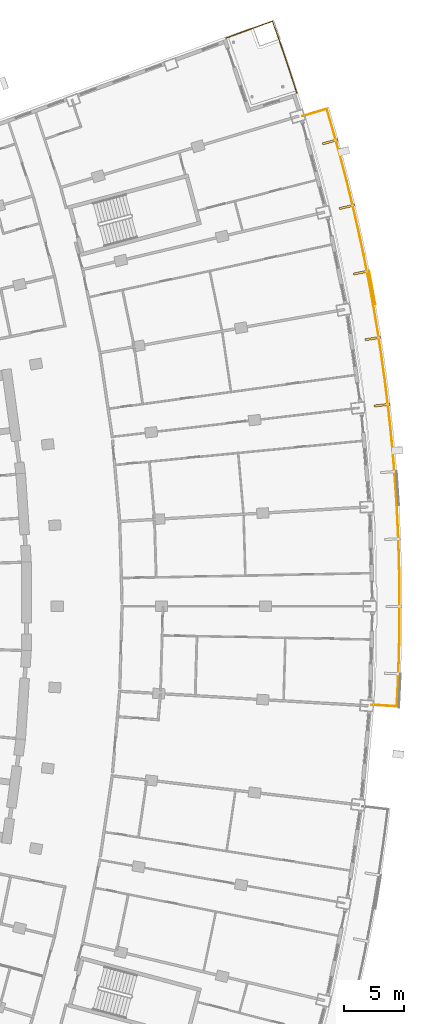
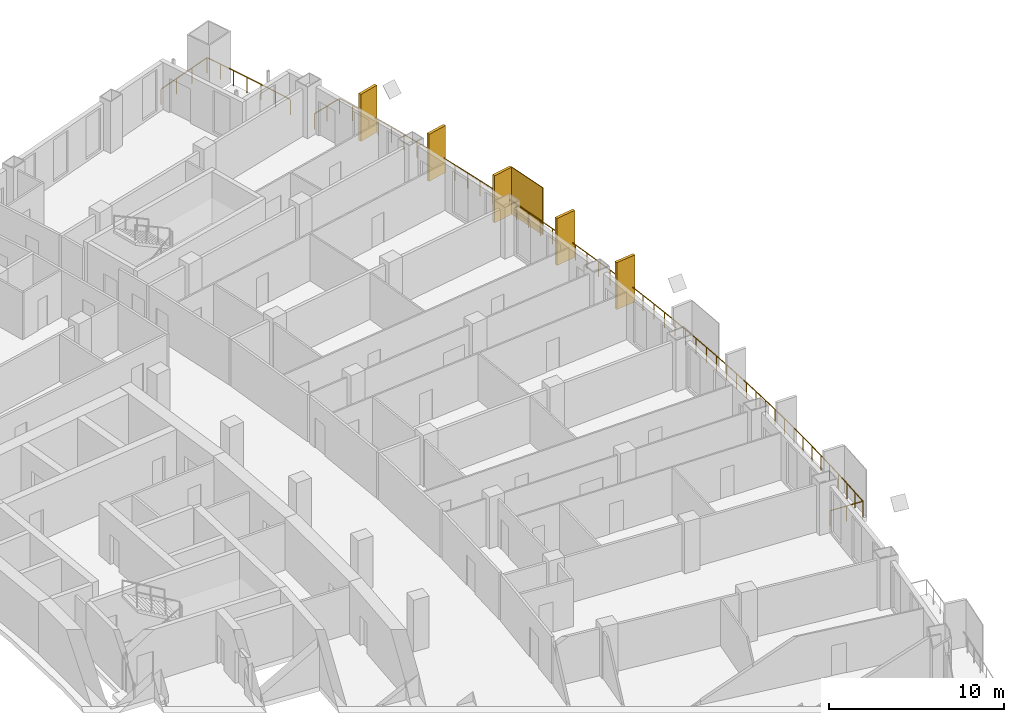
# One storey, part 25 of 25: 6 shading devices, 2 railings.
"""IFC4 building model written with IfcOpenShell, lengths in metres."""

from ifc_helpers import new_model, si_unit, direction, frame, origin, origin_2d, place, context, subcontext, project, spatial, rectangle, extrude, material, layer, layer_set, type_object, element, save


model = new_model("IFC4")

# Units and contexts
model_context = context("Model", 3, precision=1e-05, world=origin(), true_north=direction((0.0, 1.0)))
body_context = subcontext(model_context, "Body", "Model", "MODEL_VIEW")
ifc_project = project(units=[si_unit("LENGTHUNIT", "METRE"), si_unit("AREAUNIT", "SQUARE_METRE"), si_unit("VOLUMEUNIT", "CUBIC_METRE"), si_unit("PLANEANGLEUNIT", "RADIAN"), si_unit("MASSUNIT", "GRAM", prefix="KILO")], contexts=[model_context])

# Site, building, storey
site_placement = place(None, origin())
site = spatial("IfcSite", under=ifc_project, at=site_placement, CompositionType="ELEMENT")
building_placement = place(site_placement, origin())
building = spatial("IfcBuilding", under=site, at=building_placement, Name="Alderwake Tower", CompositionType="ELEMENT")
storey_placement = place(building_placement, frame((0.0, 0.0, 89.60009765625)))
storey = spatial("IfcBuildingStorey", under=building, at=storey_placement, Name="L21", CompositionType="ELEMENT", Elevation=89.60009765625)

# Railings
ifc_material_1 = material(Name="Stainless steel 316 rail and posts", Category="steel")
railing_type = type_object("IfcRailingType", Name="Balcony guard 1100", PredefinedType="GUARDRAIL", material=ifc_material_1)
railing_1_placement = place(storey_placement, frame((61.9638671875, 52.80810546875, 0.0)))
element("IfcRailing", 1, at=railing_1_placement, inside=storey, type_object=railing_type, Name="Guard BF06", PredefinedType="GUARDRAIL", context=body_context, shape_type="SweptSolid", body=[
    extrude(rectangle(XDim=0.048095703125, YDim=0.048095703125, at=origin_2d()), frame((0.0, 0.0, 1.076171875), z_axis=(0.998335953918, -0.057665614667, 0.0), x_axis=(0.057665614667, 0.998335953918, 0.0)), (0.0, 0.0, 1.0), 2.099853515625),
    extrude(rectangle(XDim=0.048095703125, YDim=0.048095703125, at=origin_2d()), frame((2.096435546875, -0.12109375, 1.076171875), z_axis=(0.050666548811, 0.998715625607, 0.0), x_axis=(-0.998715625607, 0.050666548811, 0.0)), (0.0, 0.0, 1.0), 2.004638671875),
    extrude(rectangle(XDim=0.048095703125, YDim=0.048095703125, at=origin_2d()), frame((2.197998046875, 1.880859375, 1.076171875), z_axis=(0.036432316563, 0.999336122788, 0.0), x_axis=(-0.999336122788, 0.036432316563, 0.0)), (0.0, 0.0, 1.0), 2.104248046875),
    extrude(rectangle(XDim=0.048095703125, YDim=0.048095703125, at=origin_2d()), frame((2.274658203125, 3.983642578125, 1.076171875), z_axis=(0.021925570375, 0.999759605787, 0.0), x_axis=(-0.999759605787, 0.021925570375, 0.0)), (0.0, 0.0, 1.0), 2.1044921875),
    extrude(rectangle(XDim=0.048095703125, YDim=0.048095703125, at=origin_2d()), frame((2.32080078125, 6.087646484375, 1.076171875), z_axis=(0.007309237393, 0.999973287168, 0.0), x_axis=(-0.999973287168, 0.007309237393, 0.0)), (0.0, 0.0, 1.0), 2.104248046875),
    extrude(rectangle(XDim=0.048095703125, YDim=0.048095703125, at=origin_2d()), frame((2.336181640625, 8.19189453125, 1.076171875), z_axis=(-0.007309237393, 0.999973287168, 0.0), x_axis=(-0.999973287168, -0.007309237393, 0.0)), (0.0, 0.0, 1.0), 2.104248046875),
    extrude(rectangle(XDim=0.048095703125, YDim=0.048095703125, at=origin_2d()), frame((2.32080078125, 10.296142578125, 1.076171875), z_axis=(-0.021925570375, 0.999759605787, 0.0), x_axis=(-0.999759605787, -0.021925570375, 0.0)), (0.0, 0.0, 1.0), 2.1044921875),
    extrude(rectangle(XDim=0.048095703125, YDim=0.048095703125, at=origin_2d()), frame((2.274658203125, 12.400146484375, 1.076171875), z_axis=(-0.036432316563, 0.999336122788, 0.0), x_axis=(-0.999336122788, -0.036432316563, 0.0)), (0.0, 0.0, 1.0), 2.104248046875),
    extrude(rectangle(XDim=0.048095703125, YDim=0.048095703125, at=origin_2d()), frame((2.197998046875, 14.5029296875, 1.076171875), z_axis=(-0.050932877851, 0.998702078677, 0.0), x_axis=(-0.998702078677, -0.050932877851, 0.0)), (0.0, 0.0, 1.0), 2.104248046875),
    extrude(rectangle(XDim=0.048095703125, YDim=0.048095703125, at=origin_2d()), frame((2.0908203125, 16.6044921875, 1.076171875), z_axis=(-0.065656675921, 0.99784227256, 0.0), x_axis=(-0.99784227256, -0.065656675921, 0.0)), (0.0, 0.0, 1.0), 2.104736328125),
    extrude(rectangle(XDim=0.048095703125, YDim=0.048095703125, at=origin_2d()), frame((1.95263671875, 18.70458984375, 1.076171875), z_axis=(-0.080058805511, 0.996790142237, 0.0), x_axis=(-0.996790142237, -0.080058805511, 0.0)), (0.0, 0.0, 1.0), 2.104248046875),
    extrude(rectangle(XDim=0.048095703125, YDim=0.048095703125, at=origin_2d()), frame((1.7841796875, 20.802001953125, 1.076171875), z_axis=(-0.094666747409, 0.995509019012, 0.0), x_axis=(-0.995509019012, -0.094666747409, 0.0)), (0.0, 0.0, 1.0), 2.1044921875),
    extrude(rectangle(XDim=0.048095703125, YDim=0.048095703125, at=origin_2d()), frame((1.5849609375, 22.89697265625, 1.076171875), z_axis=(-0.109170827012, 0.994023003018, 0.0), x_axis=(-0.994023003018, -0.109170827012, 0.0)), (0.0, 0.0, 1.0), 2.1044921875),
    extrude(rectangle(XDim=0.048095703125, YDim=0.048095703125, at=origin_2d()), frame((1.355224609375, 24.98876953125, 1.076171875), z_axis=(-0.123677740732, 0.992322435727, 0.0), x_axis=(-0.992322435727, -0.123677740732, 0.0)), (0.0, 0.0, 1.0), 2.104248046875),
    extrude(rectangle(XDim=0.048095703125, YDim=0.048095703125, at=origin_2d()), frame((1.094970703125, 27.076904296875, 1.076171875), z_axis=(-0.138058412224, 0.990424088365, 0.0), x_axis=(-0.990424088365, -0.138058412224, 0.0)), (0.0, 0.0, 1.0), 2.1044921875),
    extrude(rectangle(XDim=0.048095703125, YDim=0.048095703125, at=origin_2d()), frame((0.804443359375, 29.1611328125, 1.076171875), z_axis=(-0.152554066346, 0.988295126388, 0.0), x_axis=(-0.988295126388, -0.152554066346, 0.0)), (0.0, 0.0, 1.0), 2.1044921875),
    extrude(rectangle(XDim=0.048095703125, YDim=0.048095703125, at=origin_2d()), frame((0.4833984375, 31.240966796875, 1.076171875), z_axis=(-0.166957213464, 0.985964141778, 0.0), x_axis=(-0.985964141778, -0.166957213464, 0.0)), (0.0, 0.0, 1.0), 2.104248046875),
    extrude(rectangle(XDim=0.048095703125, YDim=0.048095703125, at=origin_2d()), frame((0.132080078125, 33.315673828125, 1.076171875), z_axis=(-0.181212626515, 0.983443940442, 0.0), x_axis=(-0.983443940442, -0.181212626515, 0.0)), (0.0, 0.0, 1.0), 2.1044921875),
    extrude(rectangle(XDim=0.048095703125, YDim=0.048095703125, at=origin_2d()), frame((-0.249267578125, 35.38525390625, 1.076171875), z_axis=(-0.195602960633, 0.980683170954, 0.0), x_axis=(-0.980683170954, -0.195602960633, 0.0)), (0.0, 0.0, 1.0), 2.1044921875),
    extrude(rectangle(XDim=0.048095703125, YDim=0.048095703125, at=origin_2d()), frame((-0.660888671875, 37.448974609375, 1.076171875), z_axis=(-0.209885633333, 0.977725943668, 0.0), x_axis=(-0.977725943668, -0.209885633333, 0.0)), (0.0, 0.0, 1.0), 2.104248046875),
    extrude(rectangle(XDim=0.048095703125, YDim=0.048095703125, at=origin_2d()), frame((-1.1025390625, 39.50634765625, 1.076171875), z_axis=(-0.224147692921, 0.974555186615, 0.0), x_axis=(-0.974555186615, -0.224147692921, 0.0)), (0.0, 0.0, 1.0), 2.104248046875),
    extrude(rectangle(XDim=0.048095703125, YDim=0.048095703125, at=origin_2d()), frame((-1.57421875, 41.55712890625, 1.076171875), z_axis=(-0.238302054277, 0.971191088781, 0.0), x_axis=(-0.971191088781, -0.238302054277, 0.0)), (0.0, 0.0, 1.0), 2.104248046875),
    extrude(rectangle(XDim=0.048095703125, YDim=0.048095703125, at=origin_2d()), frame((-2.07568359375, 43.600830078125, 1.076171875), z_axis=(-0.252431341957, 0.967614808484, 0.0), x_axis=(-0.967614808484, -0.252431341957, 0.0)), (0.0, 0.0, 1.0), 2.1044921875),
    extrude(rectangle(XDim=0.048095703125, YDim=0.048095703125, at=origin_2d()), frame((-2.60693359375, 45.63720703125, 1.076171875), z_axis=(-0.266620451379, 0.963801605574, 0.0), x_axis=(-0.963801605574, -0.266620451379, 0.0)), (0.0, 0.0, 1.0), 2.104248046875),
    extrude(rectangle(XDim=0.048095703125, YDim=0.048095703125, at=origin_2d()), frame((-3.16796875, 47.665283203125, 1.076171875), z_axis=(-0.280154349247, 0.959954968005, 0.0), x_axis=(-0.959954968005, -0.280154349247, 0.0)), (0.0, 0.0, 1.0), 2.00439453125),
    extrude(rectangle(XDim=0.048095703125, YDim=0.048095703125, at=origin_2d()), frame((-3.7294921875, 49.58935546875, 1.076171875), z_axis=(-0.957986128201, -0.286814536198, 0.0), x_axis=(0.286814536198, -0.957986128201, 0.0)), (0.0, 0.0, 1.0), 2.099853515625),
    extrude(rectangle(XDim=0.0419921875, YDim=0.0419921875, at=origin_2d()), frame((0.0, 0.0, 0.0), z_axis=(0.0, 0.0, 1.0), x_axis=(0.998335953918, -0.057665614667, 0.0)), (0.0, 0.0, 1.0), 1.052001953125),
    extrude(rectangle(XDim=0.0419921875, YDim=0.0419921875, at=origin_2d()), frame((1.04833984375, -0.060546875, 0.0), z_axis=(0.0, 0.0, 1.0), x_axis=(0.998335953918, -0.057665614667, 0.0)), (0.0, 0.0, 1.0), 1.052001953125),
    extrude(rectangle(XDim=0.0419921875, YDim=0.0419921875, at=origin_2d()), frame((2.096435546875, -0.12109375, 0.0), z_axis=(0.0, 0.0, 1.0), x_axis=(0.050666548811, 0.998715625607, 0.0)), (0.0, 0.0, 1.0), 1.052001953125),
    extrude(rectangle(XDim=0.0419921875, YDim=0.0419921875, at=origin_2d()), frame((2.147216796875, 0.8798828125, 0.0), z_axis=(0.0, 0.0, 1.0), x_axis=(0.050666548811, 0.998715625607, 0.0)), (0.0, 0.0, 1.0), 1.052001953125),
    extrude(rectangle(XDim=0.0419921875, YDim=0.0419921875, at=origin_2d()), frame((2.197998046875, 1.880859375, 0.0), z_axis=(0.0, 0.0, 1.0), x_axis=(0.036432316563, 0.999336122788, 0.0)), (0.0, 0.0, 1.0), 1.052001953125),
    extrude(rectangle(XDim=0.0419921875, YDim=0.0419921875, at=origin_2d()), frame((2.236328125, 2.93212890625, 0.0), z_axis=(0.0, 0.0, 1.0), x_axis=(0.036432316563, 0.999336122788, 0.0)), (0.0, 0.0, 1.0), 1.052001953125),
    extrude(rectangle(XDim=0.0419921875, YDim=0.0419921875, at=origin_2d()), frame((2.274658203125, 3.983642578125, 0.0), z_axis=(0.0, 0.0, 1.0), x_axis=(0.021925570375, 0.999759605787, 0.0)), (0.0, 0.0, 1.0), 1.052001953125),
    extrude(rectangle(XDim=0.0419921875, YDim=0.0419921875, at=origin_2d()), frame((2.2978515625, 5.03564453125, 0.0), z_axis=(0.0, 0.0, 1.0), x_axis=(0.021925570375, 0.999759605787, 0.0)), (0.0, 0.0, 1.0), 1.052001953125),
    extrude(rectangle(XDim=0.0419921875, YDim=0.0419921875, at=origin_2d()), frame((2.32080078125, 6.087646484375, 0.0), z_axis=(0.0, 0.0, 1.0), x_axis=(0.007309237393, 0.999973287168, 0.0)), (0.0, 0.0, 1.0), 1.052001953125),
    extrude(rectangle(XDim=0.0419921875, YDim=0.0419921875, at=origin_2d()), frame((2.32861328125, 7.1396484375, 0.0), z_axis=(0.0, 0.0, 1.0), x_axis=(0.007309237393, 0.999973287168, 0.0)), (0.0, 0.0, 1.0), 1.052001953125),
    extrude(rectangle(XDim=0.0419921875, YDim=0.0419921875, at=origin_2d()), frame((2.336181640625, 8.19189453125, 0.0), z_axis=(0.0, 0.0, 1.0), x_axis=(-0.007309237393, 0.999973287168, 0.0)), (0.0, 0.0, 1.0), 1.052001953125),
    extrude(rectangle(XDim=0.0419921875, YDim=0.0419921875, at=origin_2d()), frame((2.32861328125, 9.244140625, 0.0), z_axis=(0.0, 0.0, 1.0), x_axis=(-0.007309237393, 0.999973287168, 0.0)), (0.0, 0.0, 1.0), 1.052001953125),
    extrude(rectangle(XDim=0.0419921875, YDim=0.0419921875, at=origin_2d()), frame((2.32080078125, 10.296142578125, 0.0), z_axis=(0.0, 0.0, 1.0), x_axis=(-0.021925570375, 0.999759605787, 0.0)), (0.0, 0.0, 1.0), 1.052001953125),
    extrude(rectangle(XDim=0.0419921875, YDim=0.0419921875, at=origin_2d()), frame((2.2978515625, 11.34814453125, 0.0), z_axis=(0.0, 0.0, 1.0), x_axis=(-0.021925570375, 0.999759605787, 0.0)), (0.0, 0.0, 1.0), 1.052001953125),
    extrude(rectangle(XDim=0.0419921875, YDim=0.0419921875, at=origin_2d()), frame((2.274658203125, 12.400146484375, 0.0), z_axis=(0.0, 0.0, 1.0), x_axis=(-0.036432316563, 0.999336122788, 0.0)), (0.0, 0.0, 1.0), 1.052001953125),
    extrude(rectangle(XDim=0.0419921875, YDim=0.0419921875, at=origin_2d()), frame((2.236328125, 13.45166015625, 0.0), z_axis=(0.0, 0.0, 1.0), x_axis=(-0.036432316563, 0.999336122788, 0.0)), (0.0, 0.0, 1.0), 1.052001953125),
    extrude(rectangle(XDim=0.0419921875, YDim=0.0419921875, at=origin_2d()), frame((2.197998046875, 14.5029296875, 0.0), z_axis=(0.0, 0.0, 1.0), x_axis=(-0.050932877851, 0.998702078677, 0.0)), (0.0, 0.0, 1.0), 1.052001953125),
    extrude(rectangle(XDim=0.0419921875, YDim=0.0419921875, at=origin_2d()), frame((2.14453125, 15.5537109375, 0.0), z_axis=(0.0, 0.0, 1.0), x_axis=(-0.050932877851, 0.998702078677, 0.0)), (0.0, 0.0, 1.0), 1.052001953125),
    extrude(rectangle(XDim=0.0419921875, YDim=0.0419921875, at=origin_2d()), frame((2.0908203125, 16.6044921875, 0.0), z_axis=(0.0, 0.0, 1.0), x_axis=(-0.065656675921, 0.99784227256, 0.0)), (0.0, 0.0, 1.0), 1.052001953125),
    extrude(rectangle(XDim=0.0419921875, YDim=0.0419921875, at=origin_2d()), frame((2.021728515625, 17.654541015625, 0.0), z_axis=(0.0, 0.0, 1.0), x_axis=(-0.065656675921, 0.99784227256, 0.0)), (0.0, 0.0, 1.0), 1.052001953125),
    extrude(rectangle(XDim=0.0419921875, YDim=0.0419921875, at=origin_2d()), frame((1.95263671875, 18.70458984375, 0.0), z_axis=(0.0, 0.0, 1.0), x_axis=(-0.080058805511, 0.996790142237, 0.0)), (0.0, 0.0, 1.0), 1.052001953125),
    extrude(rectangle(XDim=0.0419921875, YDim=0.0419921875, at=origin_2d()), frame((1.868408203125, 19.75341796875, 0.0), z_axis=(0.0, 0.0, 1.0), x_axis=(-0.080058805511, 0.996790142237, 0.0)), (0.0, 0.0, 1.0), 1.052001953125),
    extrude(rectangle(XDim=0.0419921875, YDim=0.0419921875, at=origin_2d()), frame((1.7841796875, 20.802001953125, 0.0), z_axis=(0.0, 0.0, 1.0), x_axis=(-0.094666747409, 0.995509019012, 0.0)), (0.0, 0.0, 1.0), 1.052001953125),
    extrude(rectangle(XDim=0.0419921875, YDim=0.0419921875, at=origin_2d()), frame((1.6845703125, 21.849609375, 0.0), z_axis=(0.0, 0.0, 1.0), x_axis=(-0.094666747409, 0.995509019012, 0.0)), (0.0, 0.0, 1.0), 1.052001953125),
    extrude(rectangle(XDim=0.0419921875, YDim=0.0419921875, at=origin_2d()), frame((1.5849609375, 22.89697265625, 0.0), z_axis=(0.0, 0.0, 1.0), x_axis=(-0.109170827012, 0.994023003018, 0.0)), (0.0, 0.0, 1.0), 1.052001953125),
    extrude(rectangle(XDim=0.0419921875, YDim=0.0419921875, at=origin_2d()), frame((1.47021484375, 23.94287109375, 0.0), z_axis=(0.0, 0.0, 1.0), x_axis=(-0.109170827012, 0.994023003018, 0.0)), (0.0, 0.0, 1.0), 1.052001953125),
    extrude(rectangle(XDim=0.0419921875, YDim=0.0419921875, at=origin_2d()), frame((1.355224609375, 24.98876953125, 0.0), z_axis=(0.0, 0.0, 1.0), x_axis=(-0.123677740732, 0.992322435727, 0.0)), (0.0, 0.0, 1.0), 1.052001953125),
    extrude(rectangle(XDim=0.0419921875, YDim=0.0419921875, at=origin_2d()), frame((1.22509765625, 26.03271484375, 0.0), z_axis=(0.0, 0.0, 1.0), x_axis=(-0.123677740732, 0.992322435727, 0.0)), (0.0, 0.0, 1.0), 1.052001953125),
    extrude(rectangle(XDim=0.0419921875, YDim=0.0419921875, at=origin_2d()), frame((1.094970703125, 27.076904296875, 0.0), z_axis=(0.0, 0.0, 1.0), x_axis=(-0.138058412224, 0.990424088365, 0.0)), (0.0, 0.0, 1.0), 1.052001953125),
    extrude(rectangle(XDim=0.0419921875, YDim=0.0419921875, at=origin_2d()), frame((0.94970703125, 28.119140625, 0.0), z_axis=(0.0, 0.0, 1.0), x_axis=(-0.138058412224, 0.990424088365, 0.0)), (0.0, 0.0, 1.0), 1.052001953125),
    extrude(rectangle(XDim=0.0419921875, YDim=0.0419921875, at=origin_2d()), frame((0.804443359375, 29.1611328125, 0.0), z_axis=(0.0, 0.0, 1.0), x_axis=(-0.152554066346, 0.988295126388, 0.0)), (0.0, 0.0, 1.0), 1.052001953125),
    extrude(rectangle(XDim=0.0419921875, YDim=0.0419921875, at=origin_2d()), frame((0.64404296875, 30.201171875, 0.0), z_axis=(0.0, 0.0, 1.0), x_axis=(-0.152554066346, 0.988295126388, 0.0)), (0.0, 0.0, 1.0), 1.052001953125),
    extrude(rectangle(XDim=0.0419921875, YDim=0.0419921875, at=origin_2d()), frame((0.4833984375, 31.240966796875, 0.0), z_axis=(0.0, 0.0, 1.0), x_axis=(-0.166957213464, 0.985964141778, 0.0)), (0.0, 0.0, 1.0), 1.052001953125),
    extrude(rectangle(XDim=0.0419921875, YDim=0.0419921875, at=origin_2d()), frame((0.3076171875, 32.2783203125, 0.0), z_axis=(0.0, 0.0, 1.0), x_axis=(-0.166957213464, 0.985964141778, 0.0)), (0.0, 0.0, 1.0), 1.052001953125),
    extrude(rectangle(XDim=0.0419921875, YDim=0.0419921875, at=origin_2d()), frame((0.132080078125, 33.315673828125, 0.0), z_axis=(0.0, 0.0, 1.0), x_axis=(-0.181212626515, 0.983443940442, 0.0)), (0.0, 0.0, 1.0), 1.052001953125),
    extrude(rectangle(XDim=0.0419921875, YDim=0.0419921875, at=origin_2d()), frame((-0.05859375, 34.3505859375, 0.0), z_axis=(0.0, 0.0, 1.0), x_axis=(-0.181212626515, 0.983443940442, 0.0)), (0.0, 0.0, 1.0), 1.052001953125),
    extrude(rectangle(XDim=0.0419921875, YDim=0.0419921875, at=origin_2d()), frame((-0.249267578125, 35.38525390625, 0.0), z_axis=(0.0, 0.0, 1.0), x_axis=(-0.195602960633, 0.980683170954, 0.0)), (0.0, 0.0, 1.0), 1.052001953125),
    extrude(rectangle(XDim=0.0419921875, YDim=0.0419921875, at=origin_2d()), frame((-0.455078125, 36.4169921875, 0.0), z_axis=(0.0, 0.0, 1.0), x_axis=(-0.195602960633, 0.980683170954, 0.0)), (0.0, 0.0, 1.0), 1.052001953125),
    extrude(rectangle(XDim=0.0419921875, YDim=0.0419921875, at=origin_2d()), frame((-0.660888671875, 37.448974609375, 0.0), z_axis=(0.0, 0.0, 1.0), x_axis=(-0.209885633333, 0.977725943668, 0.0)), (0.0, 0.0, 1.0), 1.052001953125),
    extrude(rectangle(XDim=0.0419921875, YDim=0.0419921875, at=origin_2d()), frame((-0.8818359375, 38.4775390625, 0.0), z_axis=(0.0, 0.0, 1.0), x_axis=(-0.209885633333, 0.977725943668, 0.0)), (0.0, 0.0, 1.0), 1.052001953125),
    extrude(rectangle(XDim=0.0419921875, YDim=0.0419921875, at=origin_2d()), frame((-1.1025390625, 39.50634765625, 0.0), z_axis=(0.0, 0.0, 1.0), x_axis=(-0.224147692921, 0.974555186615, 0.0)), (0.0, 0.0, 1.0), 1.052001953125),
    extrude(rectangle(XDim=0.0419921875, YDim=0.0419921875, at=origin_2d()), frame((-1.33837890625, 40.53173828125, 0.0), z_axis=(0.0, 0.0, 1.0), x_axis=(-0.224147692921, 0.974555186615, 0.0)), (0.0, 0.0, 1.0), 1.052001953125),
    extrude(rectangle(XDim=0.0419921875, YDim=0.0419921875, at=origin_2d()), frame((-1.57421875, 41.55712890625, 0.0), z_axis=(0.0, 0.0, 1.0), x_axis=(-0.238302054277, 0.971191088781, 0.0)), (0.0, 0.0, 1.0), 1.052001953125),
    extrude(rectangle(XDim=0.0419921875, YDim=0.0419921875, at=origin_2d()), frame((-1.824951171875, 42.5791015625, 0.0), z_axis=(0.0, 0.0, 1.0), x_axis=(-0.238302054277, 0.971191088781, 0.0)), (0.0, 0.0, 1.0), 1.052001953125),
    extrude(rectangle(XDim=0.0419921875, YDim=0.0419921875, at=origin_2d()), frame((-2.07568359375, 43.600830078125, 0.0), z_axis=(0.0, 0.0, 1.0), x_axis=(-0.252431341957, 0.967614808484, 0.0)), (0.0, 0.0, 1.0), 1.052001953125),
    extrude(rectangle(XDim=0.0419921875, YDim=0.0419921875, at=origin_2d()), frame((-2.34130859375, 44.619140625, 0.0), z_axis=(0.0, 0.0, 1.0), x_axis=(-0.252431341957, 0.967614808484, 0.0)), (0.0, 0.0, 1.0), 1.052001953125),
    extrude(rectangle(XDim=0.0419921875, YDim=0.0419921875, at=origin_2d()), frame((-2.60693359375, 45.63720703125, 0.0), z_axis=(0.0, 0.0, 1.0), x_axis=(-0.266620451379, 0.963801605574, 0.0)), (0.0, 0.0, 1.0), 1.052001953125),
    extrude(rectangle(XDim=0.0419921875, YDim=0.0419921875, at=origin_2d()), frame((-2.887451171875, 46.6513671875, 0.0), z_axis=(0.0, 0.0, 1.0), x_axis=(-0.266620451379, 0.963801605574, 0.0)), (0.0, 0.0, 1.0), 1.052001953125),
    extrude(rectangle(XDim=0.0419921875, YDim=0.0419921875, at=origin_2d()), frame((-3.16796875, 47.665283203125, 0.0), z_axis=(0.0, 0.0, 1.0), x_axis=(-0.280154349247, 0.959954968005, 0.0)), (0.0, 0.0, 1.0), 1.052001953125),
    extrude(rectangle(XDim=0.0419921875, YDim=0.0419921875, at=origin_2d()), frame((-3.44873046875, 48.62744140625, 0.0), z_axis=(0.0, 0.0, 1.0), x_axis=(-0.280154349247, 0.959954968005, 0.0)), (0.0, 0.0, 1.0), 1.052001953125),
    extrude(rectangle(XDim=0.0419921875, YDim=0.0419921875, at=origin_2d()), frame((-3.7294921875, 49.58935546875, 0.0), z_axis=(0.0, 0.0, 1.0), x_axis=(-0.957986128201, -0.286814536198, 0.0)), (0.0, 0.0, 1.0), 1.052001953125),
    extrude(rectangle(XDim=0.0419921875, YDim=0.0419921875, at=origin_2d()), frame((-4.7353515625, 49.2880859375, 0.0), z_axis=(0.0, 0.0, 1.0), x_axis=(-0.957986128201, -0.286814536198, 0.0)), (0.0, 0.0, 1.0), 1.052001953125),
    extrude(rectangle(XDim=0.0419921875, YDim=0.0419921875, at=origin_2d()), frame((-5.7412109375, 48.987060546875, 0.0), z_axis=(0.0, 0.0, 1.0), x_axis=(-0.957986128201, -0.286814536198, 0.0)), (0.0, 0.0, 1.0), 1.052001953125),
])
railing_2_placement = place(storey_placement, frame((55.739013671875, 103.710693359375, 0.0)))
element("IfcRailing", 2, at=railing_2_placement, inside=storey, type_object=railing_type, Name="Guard terrace FN", PredefinedType="GUARDRAIL", context=body_context, shape_type="SweptSolid", body=[
    extrude(rectangle(XDim=0.048095703125, YDim=0.048095703125, at=origin_2d()), frame((0.0, 0.0, 1.076171875), z_axis=(-0.307748860356, 0.9514676237, 0.0), x_axis=(-0.9514676237, -0.307748860356, 0.0)), (0.0, 0.0, 1.0), 2.275146484375),
    extrude(rectangle(XDim=0.048095703125, YDim=0.048095703125, at=origin_2d()), frame((-0.7001953125, 2.164794921875, 1.076171875), z_axis=(-0.322257067834, 0.946652197077, 0.0), x_axis=(-0.946652197077, -0.322257067834, 0.0)), (0.0, 0.0, 1.0), 2.074951171875),
    extrude(rectangle(XDim=0.048095703125, YDim=0.048095703125, at=origin_2d()), frame((-1.368896484375, 4.129150390625, 1.076171875), z_axis=(-0.335702093232, 0.94196820785, 0.0), x_axis=(-0.94196820785, -0.335702093232, 0.0)), (0.0, 0.0, 1.0), 1.975341796875),
    extrude(rectangle(XDim=0.048095703125, YDim=0.048095703125, at=origin_2d()), frame((-2.031982421875, 5.98974609375, 1.076171875), z_axis=(-0.939605522223, -0.34225934992, 0.0), x_axis=(0.34225934992, -0.939605522223, 0.0)), (0.0, 0.0, 1.0), 4.10009765625),
    extrude(rectangle(XDim=0.0419921875, YDim=0.0419921875, at=origin_2d()), frame((0.0, 0.0, 0.0), z_axis=(0.0, 0.0, 1.0), x_axis=(-0.307748860356, 0.9514676237, 0.0)), (0.0, 0.0, 1.0), 1.052001953125),
    extrude(rectangle(XDim=0.0419921875, YDim=0.0419921875, at=origin_2d()), frame((-0.35009765625, 1.08251953125, 0.0), z_axis=(0.0, 0.0, 1.0), x_axis=(-0.307748860356, 0.9514676237, 0.0)), (0.0, 0.0, 1.0), 1.052001953125),
    extrude(rectangle(XDim=0.0419921875, YDim=0.0419921875, at=origin_2d()), frame((-0.7001953125, 2.164794921875, 0.0), z_axis=(0.0, 0.0, 1.0), x_axis=(-0.322257067834, 0.946652197077, 0.0)), (0.0, 0.0, 1.0), 1.052001953125),
    extrude(rectangle(XDim=0.0419921875, YDim=0.0419921875, at=origin_2d()), frame((-1.03466796875, 3.14697265625, 0.0), z_axis=(0.0, 0.0, 1.0), x_axis=(-0.322257067834, 0.946652197077, 0.0)), (0.0, 0.0, 1.0), 1.052001953125),
    extrude(rectangle(XDim=0.0419921875, YDim=0.0419921875, at=origin_2d()), frame((-1.368896484375, 4.129150390625, 0.0), z_axis=(0.0, 0.0, 1.0), x_axis=(-0.335702093232, 0.94196820785, 0.0)), (0.0, 0.0, 1.0), 1.052001953125),
    extrude(rectangle(XDim=0.0419921875, YDim=0.0419921875, at=origin_2d()), frame((-1.700439453125, 5.0595703125, 0.0), z_axis=(0.0, 0.0, 1.0), x_axis=(-0.335702093232, 0.94196820785, 0.0)), (0.0, 0.0, 1.0), 1.052001953125),
    extrude(rectangle(XDim=0.0419921875, YDim=0.0419921875, at=origin_2d()), frame((-2.031982421875, 5.98974609375, 0.0), z_axis=(0.0, 0.0, 1.0), x_axis=(-0.939605522223, -0.34225934992, 0.0)), (0.0, 0.0, 1.0), 1.052001953125),
    extrude(rectangle(XDim=0.0419921875, YDim=0.0419921875, at=origin_2d()), frame((-3.316162109375, 5.52197265625, 0.0), z_axis=(0.0, 0.0, 1.0), x_axis=(-0.939605522223, -0.34225934992, 0.0)), (0.0, 0.0, 1.0), 1.052001953125),
    extrude(rectangle(XDim=0.0419921875, YDim=0.0419921875, at=origin_2d()), frame((-4.600341796875, 5.05419921875, 0.0), z_axis=(0.0, 0.0, 1.0), x_axis=(-0.939605522223, -0.34225934992, 0.0)), (0.0, 0.0, 1.0), 1.052001953125),
    extrude(rectangle(XDim=0.0419921875, YDim=0.0419921875, at=origin_2d()), frame((-5.884521484375, 4.58642578125, 0.0), z_axis=(0.0, 0.0, 1.0), x_axis=(-0.939605522223, -0.34225934992, 0.0)), (0.0, 0.0, 1.0), 1.052001953125),
])

# Shading devices
ifc_material_2 = material(Name="Bronze anodised aluminium", Category="aluminium")
ifc_layer_1 = layer(ifc_material_2, 0.179931640625)
ifc_layer_set_1 = layer_set([ifc_layer_1], Name="Facade fin 1300")
shading_device_type_1 = type_object("IfcShadingDeviceType", Name="Facade fin 1300", PredefinedType="USERDEFINED", material=ifc_layer_set_1)
for number, where, z_axis, x_axis, name in (
    (3, (62.822021484375, 77.743408203125, 0.0), (0.0, 0.0, 1.0), (0.993198315083, 0.116434990084, 0.0), "Fin"),
    (4, (62.062744140625, 83.28515625, 0.0), (0.0, 0.0, 1.0), (0.987918787879, 0.154972476771, 0.0), "Fin"),
    (5, (61.09130859375, 88.779052734375, 0.0), (0.0, 0.0, 1.0), (0.981163751315, 0.193177879441, 0.0), "Fin"),
    (6, (59.904296875, 94.2451171875, 0.0), (0.0, 0.0, 1.0), (0.972908790564, 0.231189284448, 0.0), "Fin"),
    (7, (58.505615234375, 99.660888671875, 0.0), (0.0, 0.0, 1.0), (0.96318180783, 0.268850897459, 0.0), "Fin"),
):
    element("IfcShadingDevice", number, at=place(storey_placement, frame(where, z_axis=z_axis, x_axis=x_axis)), inside=storey, type_object=shading_device_type_1, Name=name, ObjectType="FIN", PredefinedType="USERDEFINED", context=body_context, shape_type="SweptSolid", body=[
        extrude(rectangle(XDim=1.300048828125, YDim=0.179931640625, at=origin_2d()), origin(), (0.0, 0.0, 1.0), 3.280029296875),
    ])
ifc_material_3 = material(Name="Perforated bronze anodised aluminium", Category="aluminium")
ifc_layer_2 = layer(ifc_material_3, 0.050048828125)
ifc_layer_set_2 = layer_set([ifc_layer_2], Name="Perforated screen panel")
shading_device_type_2 = type_object("IfcShadingDeviceType", Name="Perforated screen panel", PredefinedType="USERDEFINED", material=ifc_layer_set_2)
shading_device_placement = place(storey_placement, frame((62.010986328125, 87.53173828125, 0.0), z_axis=(0.0, 0.0, 1.0), x_axis=(0.982991488043, 0.183651121519, 0.0)))
element("IfcShadingDevice", 8, at=shading_device_placement, inside=storey, type_object=shading_device_type_2, Name="Screen panel", ObjectType="SCREEN", PredefinedType="USERDEFINED", context=body_context, shape_type="SweptSolid", body=[
    extrude(rectangle(XDim=0.050048828125, YDim=2.802734375, at=origin_2d()), origin(), (0.0, 0.0, 1.0), 3.280029296875),
])

save(model, "model.ifc")
